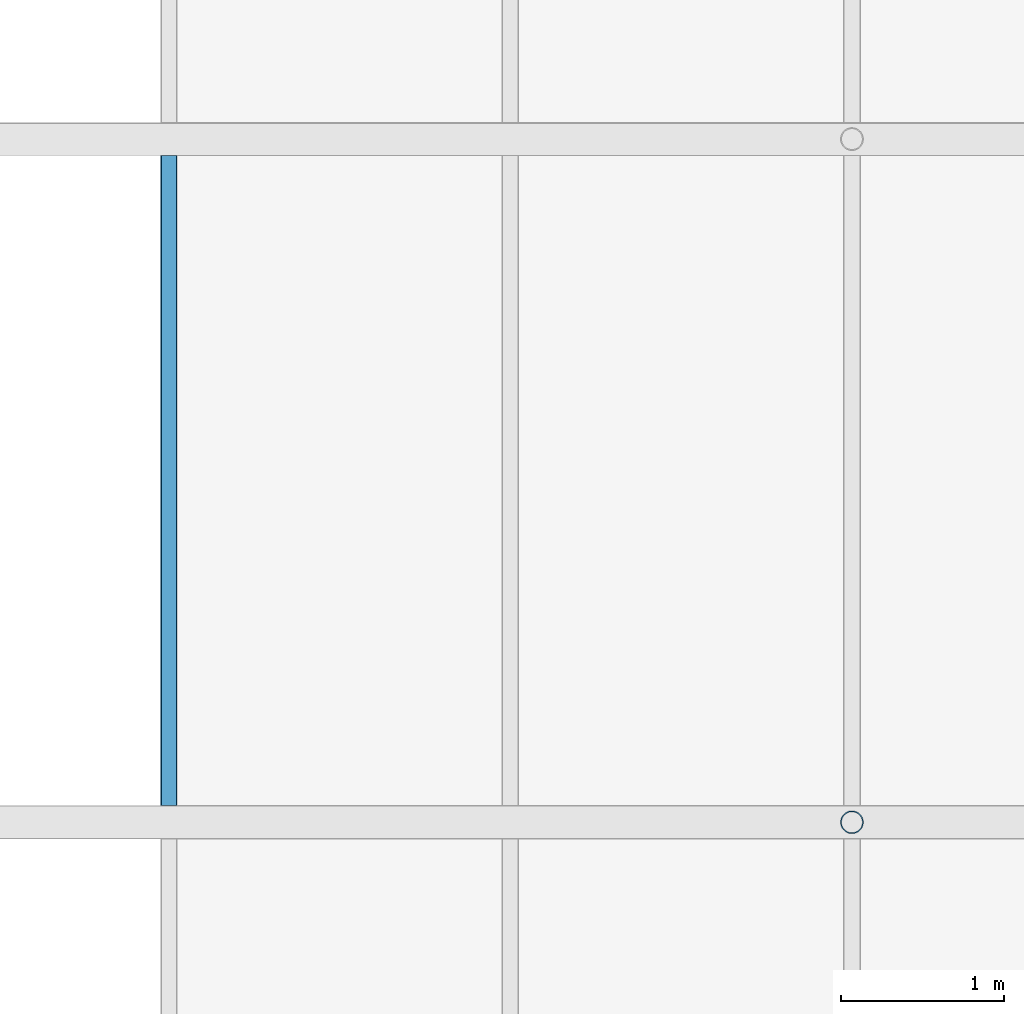
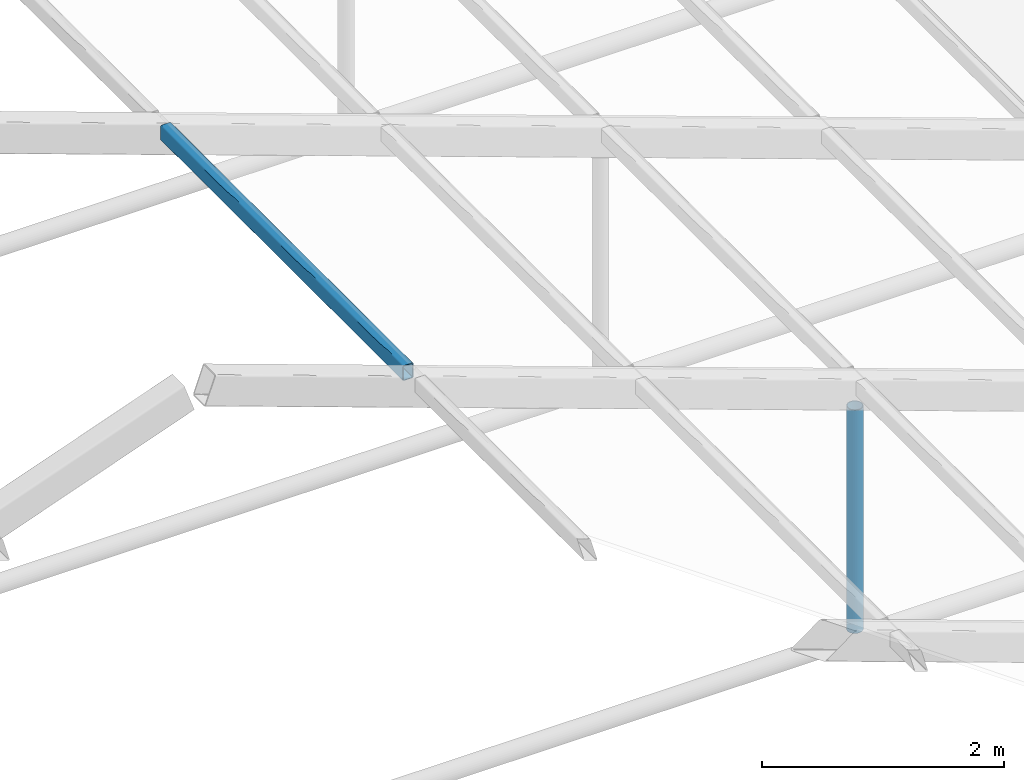
# One storey, part 50 of 116: 2 members.
"""IFC4 building model written with IfcOpenShell, lengths in metres."""

from ifc_helpers import new_model, si_unit, direction, frame, origin, origin_2d, place, context, subcontext, project, spatial, hollow_rectangle, hollow_circle, extrude, material, material_profile, profile_set, type_object, element, save


model = new_model("IFC4")

# Units and contexts
model_context = context("Model", 3, precision=1e-05, world=origin(), true_north=direction((0.0, 1.0)))
body_context = subcontext(model_context, "Body", "Model", "MODEL_VIEW")
ifc_project = project(units=[si_unit("LENGTHUNIT", "METRE"), si_unit("AREAUNIT", "SQUARE_METRE"), si_unit("VOLUMEUNIT", "CUBIC_METRE"), si_unit("PLANEANGLEUNIT", "RADIAN"), si_unit("MASSUNIT", "GRAM", prefix="KILO")], contexts=[model_context])

# Site, building, storey
site_placement = place(None, origin())
site = spatial("IfcSite", under=ifc_project, at=site_placement, CompositionType="ELEMENT")
building_placement = place(site_placement, origin())
building = spatial("IfcBuilding", under=site, at=building_placement, Name="Fescue Hill Polytechnic", CompositionType="ELEMENT")
storey_placement = place(building_placement, frame((0.0, 0.0, 13.5)))
storey = spatial("IfcBuildingStorey", under=building, at=storey_placement, Name="L03", CompositionType="ELEMENT", Elevation=13.5)

# Members
ifc_material = material(Name="Steel 350W (350 MPa)", Category="steel")
ifc_material_profile_1 = material_profile(ifc_material, hollow_rectangle(XDim=0.1015625, YDim=0.15234375, WallThickness=0.00634765625, InnerFilletRadius=0.00634765625, OuterFilletRadius=0.0126953125, at=origin_2d()), Name="Winter garden glazing purlin HSS 152x102x6.4")
ifc_profile_set_1 = profile_set([ifc_material_profile_1], Name="Steel 350W (350 MPa)")
member_type_1 = type_object("IfcMemberType", Name="Winter garden glazing purlin HSS 152x102x6.4", PredefinedType="PURLIN", material=ifc_profile_set_1)
member_1_placement = place(storey_placement, frame((107.100341796875, 75.70166015625, 4.414306640625), z_axis=(0.0, 1.0, 0.0), x_axis=(-1.0, 0.0, 0.0)))
element("IfcMember", 1, at=member_1_placement, inside=storey, type_object=member_type_1, Name="Winter garden glazing purlin E5 bay 7", PredefinedType="PURLIN", context=body_context, shape_type="SweptSolid", body=[
    extrude(hollow_rectangle(XDim=0.1015625, YDim=0.15234375, WallThickness=0.00634765625, InnerFilletRadius=0.00634765625, OuterFilletRadius=0.0126953125, at=origin_2d()), origin(), (0.0, 0.0, 1.0), 3.996826171875),
])
ifc_material_profile_2 = material_profile(ifc_material, hollow_circle(Radius=0.070556640625, WallThickness=0.00634765625, at=origin_2d()), Name="Winter garden queen post CHS 141x6.4")
ifc_profile_set_2 = profile_set([ifc_material_profile_2], Name="Steel 350W (350 MPa)")
member_type_2 = type_object("IfcMemberType", Name="Winter garden queen post CHS 141x6.4", PredefinedType="POST", material=ifc_profile_set_2)
member_2_placement = place(storey_placement, frame((111.300048828125, 75.60009765625, 0.4169921875), z_axis=(0.0, 0.0, 1.0), x_axis=(1.0, 0.0, 0.0)))
element("IfcMember", 2, at=member_2_placement, inside=storey, type_object=member_type_2, Name="Winter garden queen post 7B", PredefinedType="POST", context=body_context, shape_type="SweptSolid", body=[
    extrude(hollow_circle(Radius=0.070556640625, WallThickness=0.00634765625, at=origin_2d()), origin(), (0.0, 0.0, 1.0), 2.25),
])

save(model, "model.ifc")
